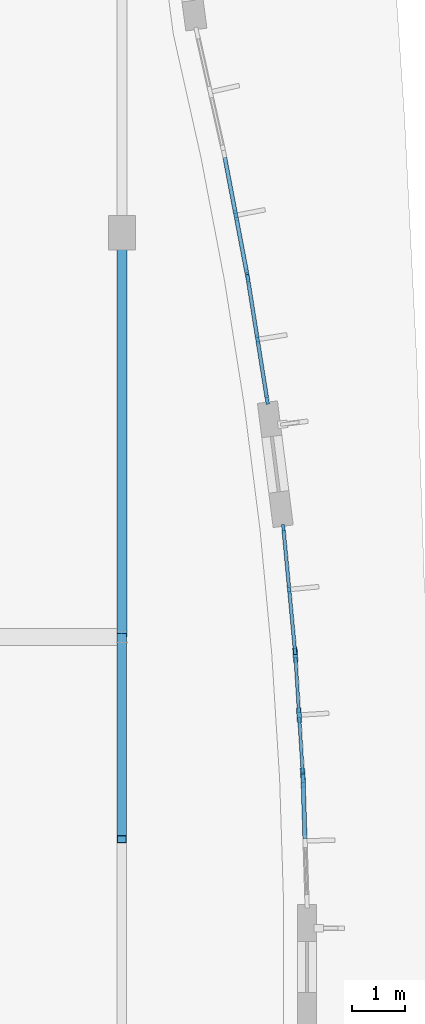
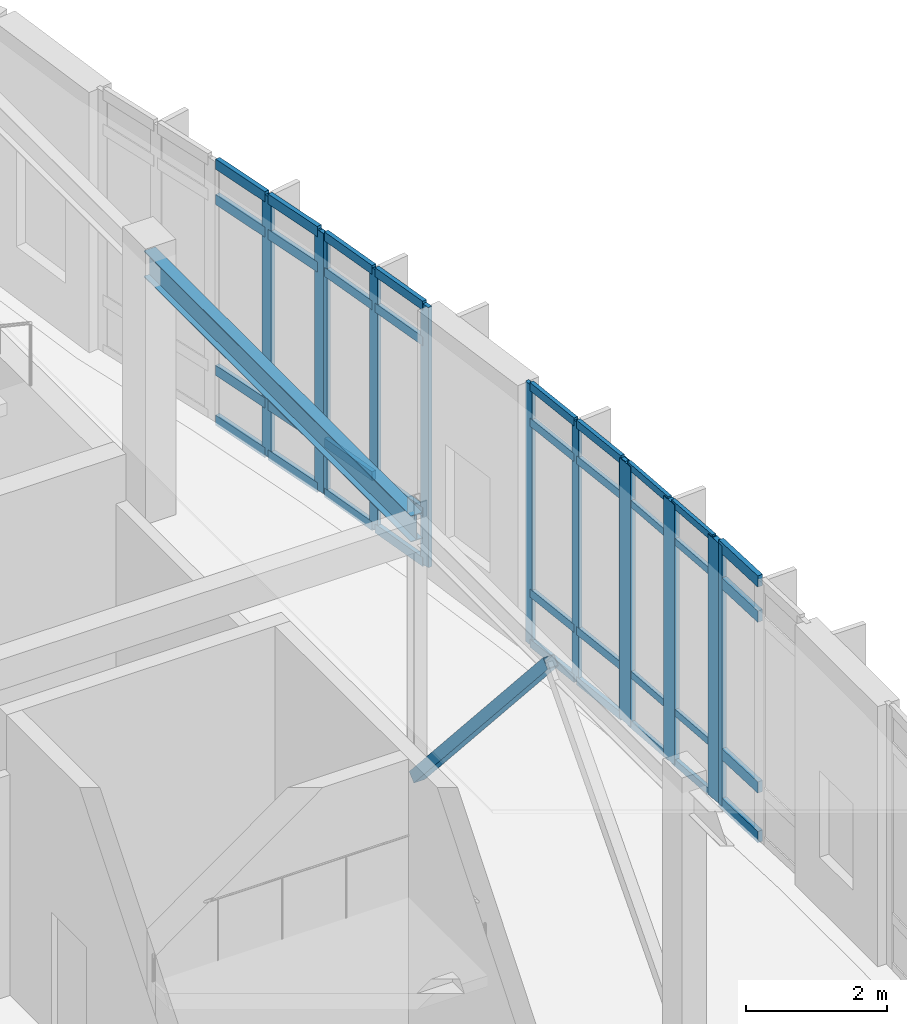
# One storey, part 61 of 120: 49 members, 1 beam, 5 elements without a shape of their own.
"""IFC4 building model written with IfcOpenShell, lengths in metres."""

from ifc_helpers import new_model, si_unit, direction, frame, origin, origin_2d, place, context, subcontext, project, spatial, rectangle, hollow_rectangle, i_section, extrude, material, material_profile, profile_set, type_object, element, aggregate, save


model = new_model("IFC4")

# Units and contexts
model_context = context("Model", 3, precision=1e-05, world=origin(), true_north=direction((0.0, 1.0)))
body_context = subcontext(model_context, "Body", "Model", "MODEL_VIEW")
ifc_project = project(units=[si_unit("LENGTHUNIT", "METRE"), si_unit("AREAUNIT", "SQUARE_METRE"), si_unit("VOLUMEUNIT", "CUBIC_METRE"), si_unit("PLANEANGLEUNIT", "RADIAN"), si_unit("MASSUNIT", "GRAM", prefix="KILO")], contexts=[model_context])

# Site, building, storey
site_placement = place(None, origin())
site = spatial("IfcSite", under=ifc_project, at=site_placement, CompositionType="ELEMENT")
building_placement = place(site_placement, origin())
building = spatial("IfcBuilding", under=site, at=building_placement, Name="Corveleigh Park Community Centre", CompositionType="ELEMENT")
storey_placement = place(building_placement, origin())
storey = spatial("IfcBuildingStorey", under=building, at=storey_placement, Name="L00", CompositionType="ELEMENT", Elevation=0.0)

# Beam
ifc_material_1 = material(Name="Steel S355", Category="steel")
ifc_material_profile_1 = material_profile(ifc_material_1, i_section(OverallWidth=0.18994140625, OverallDepth=0.453369140625, WebThickness=0.008544921875, FlangeThickness=0.0126953125, at=origin_2d()), Name="UKB 457x191x67", Category="steel")
ifc_profile_set_1 = profile_set([ifc_material_profile_1], Name="Steel S355")
beam_type = type_object("IfcBeamType", Name="BM-STL-UKB457x67", PredefinedType="BEAM", material=ifc_profile_set_1)
beam_placement = place(storey_placement, frame((168.39990234375, 89.0048828125, 4.30029296875), z_axis=(0.0, 1.0, 0.0), x_axis=(-1.0, 0.0, 0.0)))
element("IfcBeam", 1, at=beam_placement, inside=storey, type_object=beam_type, Name="V4 Girder Y", PredefinedType="BEAM", context=body_context, shape_type="SweptSolid", body=[
    extrude(i_section(OverallWidth=0.18994140625, OverallDepth=0.453369140625, WebThickness=0.008544921875, FlangeThickness=0.0126953125, at=origin_2d()), origin(), (0.0, 0.0, 1.0), 7.590087890625),
])

# Curtain wall, members
ifc_material_2 = material(Name="Anodised aluminium 6063-T6", Category="aluminium")
curtain_wall_type = type_object("IfcCurtainWallType", Name="CW-SYS-V4-L00", PredefinedType="NOTDEFINED", material=ifc_material_2)
curtain_wall_1_placement = place(storey_placement, origin())
curtain_wall_1 = element("IfcCurtainWall", 2, at=curtain_wall_1_placement, inside=storey, type_object=curtain_wall_type, Name="V4 L00 Curtain Wall 127", PredefinedType="NOTDEFINED")
ifc_material_profile_2 = material_profile(ifc_material_2, rectangle(XDim=0.06005859375, YDim=0.159912109375, at=origin_2d()), Name="ALU-M60x160", Category="aluminium")
ifc_profile_set_2 = profile_set([ifc_material_profile_2], Name="Anodised aluminium 6063-T6")
member_type_1 = type_object("IfcMemberType", Name="CWM-60x160", PredefinedType="MULLION", material=ifc_profile_set_2)
member_1_placement = place(storey_placement, frame((171.434814453125, 91.0341796875, 0.0), z_axis=(0.0, 0.0, 1.0), x_axis=(0.995569739149, 0.094026030916, 0.0)))
member_1 = element("IfcMember", 3, at=member_1_placement, type_object=member_type_1, Name="CW07 mullion 1", PredefinedType="MULLION", context=body_context, shape_type="SweptSolid", body=[
    extrude(rectangle(XDim=0.06005859375, YDim=0.159912109375, at=origin_2d()), origin(), (0.0, 0.0, 1.0), 4.511962890625),
])
member_2_placement = place(storey_placement, frame((171.54248046875, 89.89404296875, 0.0), z_axis=(0.0, 0.0, 1.0), x_axis=(0.995569739149, 0.094026030916, 0.0)))
member_2 = element("IfcMember", 4, at=member_2_placement, type_object=member_type_1, Name="CW07 mullion 2", PredefinedType="MULLION", context=body_context, shape_type="SweptSolid", body=[
    extrude(rectangle(XDim=0.06005859375, YDim=0.159912109375, at=origin_2d()), origin(), (0.0, 0.0, 1.0), 4.511962890625),
])
member_3_placement = place(storey_placement, frame((171.650146484375, 88.75390625, 0.0), z_axis=(0.0, 0.0, 1.0), x_axis=(0.995569739149, 0.094026030916, 0.0)))
member_3 = element("IfcMember", 5, at=member_3_placement, type_object=member_type_1, Name="CW07 mullion 3", PredefinedType="MULLION", context=body_context, shape_type="SweptSolid", body=[
    extrude(rectangle(XDim=0.06005859375, YDim=0.159912109375, at=origin_2d()), origin(), (0.0, 0.0, 1.0), 4.511962890625),
])

curtain_wall_2_placement = place(storey_placement, origin())
curtain_wall_2 = element("IfcCurtainWall", 6, at=curtain_wall_2_placement, inside=storey, type_object=curtain_wall_type, Name="V4 L00 Curtain Wall 128", PredefinedType="NOTDEFINED")
ifc_material_profile_3 = material_profile(ifc_material_2, rectangle(XDim=0.06494140625, YDim=0.179931640625, at=origin_2d()), Name="ALU-M65x180", Category="aluminium")
ifc_profile_set_3 = profile_set([ifc_material_profile_3], Name="Anodised aluminium 6063-T6")
member_type_2 = type_object("IfcMemberType", Name="CWM-65x180", PredefinedType="MULLION", material=ifc_profile_set_3)
member_4_placement = place(storey_placement, frame((170.76806640625, 95.720947265625, 0.0), z_axis=(0.0, 0.0, 1.0), x_axis=(0.987596806616, 0.157011297563, 0.0)))
member_4 = element("IfcMember", 7, at=member_4_placement, type_object=member_type_2, Name="CW07 mullion 1", PredefinedType="MULLION", context=body_context, shape_type="SweptSolid", body=[
    extrude(rectangle(XDim=0.06494140625, YDim=0.179931640625, at=origin_2d()), origin(), (0.0, 0.0, 1.0), 4.511962890625),
])
member_5_placement = place(storey_placement, frame((170.947509765625, 94.592529296875, 0.0), z_axis=(0.0, 0.0, 1.0), x_axis=(0.987596806616, 0.157011297563, 0.0)))
member_5 = element("IfcMember", 8, at=member_5_placement, type_object=member_type_2, Name="CW07 mullion 2", PredefinedType="MULLION", context=body_context, shape_type="SweptSolid", body=[
    extrude(rectangle(XDim=0.06494140625, YDim=0.179931640625, at=origin_2d()), origin(), (0.0, 0.0, 1.0), 4.511962890625),
])
member_6_placement = place(storey_placement, frame((171.126953125, 93.464111328125, 0.0), z_axis=(0.0, 0.0, 1.0), x_axis=(0.987596806616, 0.157011297563, 0.0)))
member_6 = element("IfcMember", 9, at=member_6_placement, type_object=member_type_2, Name="CW07 mullion 3", PredefinedType="MULLION", context=body_context, shape_type="SweptSolid", body=[
    extrude(rectangle(XDim=0.06494140625, YDim=0.179931640625, at=origin_2d()), origin(), (0.0, 0.0, 1.0), 4.511962890625),
])

curtain_wall_3_placement = place(storey_placement, origin())
curtain_wall_3 = element("IfcCurtainWall", 10, at=curtain_wall_3_placement, inside=storey, type_object=curtain_wall_type, Name="V4 L00 Curtain Wall 129", PredefinedType="NOTDEFINED")
ifc_material_profile_4 = material_profile(ifc_material_2, rectangle(XDim=0.070068359375, YDim=0.199951171875, at=origin_2d()), Name="ALU-M70x200", Category="aluminium")
ifc_profile_set_4 = profile_set([ifc_material_profile_4], Name="Anodised aluminium 6063-T6")
member_type_3 = type_object("IfcMemberType", Name="CWM-70x200", PredefinedType="MULLION", material=ifc_profile_set_4)
member_7_placement = place(storey_placement, frame((170.5400390625, 96.925537109375, 0.0), z_axis=(0.0, 0.0, 1.0), x_axis=(0.982323668519, 0.187190304951, 0.0)))
member_7 = element("IfcMember", 11, at=member_7_placement, type_object=member_type_3, Name="CW07 mullion 2", PredefinedType="MULLION", context=body_context, shape_type="SweptSolid", body=[
    extrude(rectangle(XDim=0.070068359375, YDim=0.199951171875, at=origin_2d()), origin(), (0.0, 0.0, 1.0), 4.511962890625),
])
member_8_placement = place(storey_placement, frame((170.75341796875, 95.805419921875, 0.0), z_axis=(0.0, 0.0, 1.0), x_axis=(0.982323668519, 0.187190304951, 0.0)))
member_8 = element("IfcMember", 12, at=member_8_placement, type_object=member_type_3, Name="CW07 mullion 3", PredefinedType="MULLION", context=body_context, shape_type="SweptSolid", body=[
    extrude(rectangle(XDim=0.070068359375, YDim=0.199951171875, at=origin_2d()), origin(), (0.0, 0.0, 1.0), 4.511962890625),
])

# Curtain wall, member
curtain_wall_4_placement = place(storey_placement, origin())
curtain_wall_4 = element("IfcCurtainWall", 13, at=curtain_wall_4_placement, inside=storey, type_object=curtain_wall_type, Name="V4 L00 Curtain Wall 125", PredefinedType="NOTDEFINED")
ifc_material_profile_5 = material_profile(ifc_material_2, rectangle(XDim=0.080078125, YDim=0.25, at=origin_2d()), Name="ALU-M80x250", Category="aluminium")
ifc_profile_set_5 = profile_set([ifc_material_profile_5], Name="Anodised aluminium 6063-T6")
member_type_4 = type_object("IfcMemberType", Name="CWM-80x250", PredefinedType="MULLION", material=ifc_profile_set_5)
member_9_placement = place(storey_placement, frame((171.80419921875, 86.302978515625, 0.0), z_axis=(0.0, 0.0, 1.0), x_axis=(0.999491108502, 0.031898652394, 0.0)))
member_9 = element("IfcMember", 14, at=member_9_placement, type_object=member_type_4, Name="CW07 mullion 1", PredefinedType="MULLION", context=body_context, shape_type="SweptSolid", body=[
    extrude(rectangle(XDim=0.080078125, YDim=0.25, at=origin_2d()), origin(), (0.0, 0.0, 1.0), 4.511962890625),
])

# Curtain wall, members
curtain_wall_5_placement = place(storey_placement, origin())
curtain_wall_5 = element("IfcCurtainWall", 15, at=curtain_wall_5_placement, inside=storey, type_object=curtain_wall_type, Name="V4 L00 Curtain Wall 126", PredefinedType="NOTDEFINED")
ifc_material_profile_6 = material_profile(ifc_material_2, rectangle(XDim=0.0849609375, YDim=0.27490234375, at=origin_2d()), Name="ALU-M85x275", Category="aluminium")
ifc_profile_set_6 = profile_set([ifc_material_profile_6], Name="Anodised aluminium 6063-T6")
member_type_5 = type_object("IfcMemberType", Name="CWM-85x275", PredefinedType="MULLION", material=ifc_profile_set_6)
member_10_placement = place(storey_placement, frame((171.65771484375, 88.66357421875, 0.0), z_axis=(0.0, 0.0, 1.0), x_axis=(0.998040968926, 0.062563762233, 0.0)))
member_10 = element("IfcMember", 16, at=member_10_placement, type_object=member_type_5, Name="CW07 mullion 1", PredefinedType="MULLION", context=body_context, shape_type="SweptSolid", body=[
    extrude(rectangle(XDim=0.0849609375, YDim=0.27490234375, at=origin_2d()), origin(), (0.0, 0.0, 1.0), 4.511962890625),
])
member_11_placement = place(storey_placement, frame((171.728515625, 87.533447265625, 0.0), z_axis=(0.0, 0.0, 1.0), x_axis=(0.998040968926, 0.062563762233, 0.0)))
member_11 = element("IfcMember", 17, at=member_11_placement, type_object=member_type_5, Name="CW07 mullion 2", PredefinedType="MULLION", context=body_context, shape_type="SweptSolid", body=[
    extrude(rectangle(XDim=0.0849609375, YDim=0.27490234375, at=origin_2d()), origin(), (0.0, 0.0, 1.0), 4.511962890625),
])
member_12_placement = place(storey_placement, frame((171.79931640625, 86.4033203125, 0.0), z_axis=(0.0, 0.0, 1.0), x_axis=(0.998040968926, 0.062563762233, 0.0)))
member_12 = element("IfcMember", 18, at=member_12_placement, type_object=member_type_5, Name="CW07 mullion 3", PredefinedType="MULLION", context=body_context, shape_type="SweptSolid", body=[
    extrude(rectangle(XDim=0.0849609375, YDim=0.27490234375, at=origin_2d()), origin(), (0.0, 0.0, 1.0), 4.511962890625),
])
ifc_material_profile_7 = material_profile(ifc_material_2, rectangle(XDim=0.06005859375, YDim=0.1201171875, at=origin_2d()), Name="ALU-T60x120", Category="aluminium")
ifc_profile_set_7 = profile_set([ifc_material_profile_7], Name="Anodised aluminium 6063-T6")
member_type_6 = type_object("IfcMemberType", Name="CWT-60x120", PredefinedType="USERDEFINED", material=ifc_profile_set_7)
member_13_placement = place(storey_placement, frame((171.660400390625, 88.62109375, 0.030029296875), z_axis=(0.062479885041, -0.998046223361, 0.0), x_axis=(0.998046223361, 0.062479885041, 0.0)))
member_13 = element("IfcMember", 19, at=member_13_placement, type_object=member_type_6, Name="CW07 transom 1.1", ObjectType="TRANSOM", PredefinedType="USERDEFINED", context=body_context, shape_type="SweptSolid", body=[
    extrude(rectangle(XDim=0.06005859375, YDim=0.1201171875, at=origin_2d()), origin(), (0.0, 0.0, 1.0), 1.047119140625),
])
member_14_placement = place(storey_placement, frame((171.660400390625, 88.62109375, 0.89990234375), z_axis=(0.062479885041, -0.998046223361, 0.0), x_axis=(0.998046223361, 0.062479885041, 0.0)))
member_14 = element("IfcMember", 20, at=member_14_placement, type_object=member_type_6, Name="CW07 transom 1.2", ObjectType="TRANSOM", PredefinedType="USERDEFINED", context=body_context, shape_type="SweptSolid", body=[
    extrude(rectangle(XDim=0.06005859375, YDim=0.1201171875, at=origin_2d()), origin(), (0.0, 0.0, 1.0), 1.047119140625),
])
member_15_placement = place(storey_placement, frame((171.660400390625, 88.62109375, 3.862060546875), z_axis=(0.062479885041, -0.998046223361, 0.0), x_axis=(0.998046223361, 0.062479885041, 0.0)))
member_15 = element("IfcMember", 21, at=member_15_placement, type_object=member_type_6, Name="CW07 transom 1.3", ObjectType="TRANSOM", PredefinedType="USERDEFINED", context=body_context, shape_type="SweptSolid", body=[
    extrude(rectangle(XDim=0.06005859375, YDim=0.1201171875, at=origin_2d()), origin(), (0.0, 0.0, 1.0), 1.047119140625),
])
member_16_placement = place(storey_placement, frame((171.660400390625, 88.62109375, 4.48193359375), z_axis=(0.062479885041, -0.998046223361, 0.0), x_axis=(0.998046223361, 0.062479885041, 0.0)))
member_16 = element("IfcMember", 22, at=member_16_placement, type_object=member_type_6, Name="CW07 transom 1.4", ObjectType="TRANSOM", PredefinedType="USERDEFINED", context=body_context, shape_type="SweptSolid", body=[
    extrude(rectangle(XDim=0.06005859375, YDim=0.1201171875, at=origin_2d()), origin(), (0.0, 0.0, 1.0), 1.047119140625),
])
member_17_placement = place(storey_placement, frame((171.731201171875, 87.490966796875, 0.030029296875), z_axis=(0.062479885041, -0.998046223361, 0.0), x_axis=(0.998046223361, 0.062479885041, 0.0)))
member_17 = element("IfcMember", 23, at=member_17_placement, type_object=member_type_6, Name="CW07 transom 2.1", ObjectType="TRANSOM", PredefinedType="USERDEFINED", context=body_context, shape_type="SweptSolid", body=[
    extrude(rectangle(XDim=0.06005859375, YDim=0.1201171875, at=origin_2d()), origin(), (0.0, 0.0, 1.0), 1.047119140625),
])
member_18_placement = place(storey_placement, frame((171.731201171875, 87.490966796875, 0.89990234375), z_axis=(0.062479885041, -0.998046223361, 0.0), x_axis=(0.998046223361, 0.062479885041, 0.0)))
member_18 = element("IfcMember", 24, at=member_18_placement, type_object=member_type_6, Name="CW07 transom 2.2", ObjectType="TRANSOM", PredefinedType="USERDEFINED", context=body_context, shape_type="SweptSolid", body=[
    extrude(rectangle(XDim=0.06005859375, YDim=0.1201171875, at=origin_2d()), origin(), (0.0, 0.0, 1.0), 1.047119140625),
])
member_19_placement = place(storey_placement, frame((171.731201171875, 87.490966796875, 3.862060546875), z_axis=(0.062479885041, -0.998046223361, 0.0), x_axis=(0.998046223361, 0.062479885041, 0.0)))
member_19 = element("IfcMember", 25, at=member_19_placement, type_object=member_type_6, Name="CW07 transom 2.3", ObjectType="TRANSOM", PredefinedType="USERDEFINED", context=body_context, shape_type="SweptSolid", body=[
    extrude(rectangle(XDim=0.06005859375, YDim=0.1201171875, at=origin_2d()), origin(), (0.0, 0.0, 1.0), 1.047119140625),
])
member_20_placement = place(storey_placement, frame((171.731201171875, 87.490966796875, 4.48193359375), z_axis=(0.062479885041, -0.998046223361, 0.0), x_axis=(0.998046223361, 0.062479885041, 0.0)))
member_20 = element("IfcMember", 26, at=member_20_placement, type_object=member_type_6, Name="CW07 transom 2.4", ObjectType="TRANSOM", PredefinedType="USERDEFINED", context=body_context, shape_type="SweptSolid", body=[
    extrude(rectangle(XDim=0.06005859375, YDim=0.1201171875, at=origin_2d()), origin(), (0.0, 0.0, 1.0), 1.047119140625),
])
aggregate(curtain_wall_5, [member_10, member_11, member_12, member_13, member_14, member_15, member_16, member_17, member_18, member_19, member_20])

# Member
ifc_material_profile_8 = material_profile(ifc_material_2, rectangle(XDim=0.06494140625, YDim=0.139892578125, at=origin_2d()), Name="ALU-T65x140", Category="aluminium")
ifc_profile_set_8 = profile_set([ifc_material_profile_8], Name="Anodised aluminium 6063-T6")
member_type_7 = type_object("IfcMemberType", Name="CWT-65x140", PredefinedType="USERDEFINED", material=ifc_profile_set_8)
member_21_placement = place(storey_placement, frame((171.437744140625, 91.004150390625, 0.032470703125), z_axis=(0.094044614072, -0.995567983899, 0.0), x_axis=(0.995567983899, 0.094044614072, 0.0)))
member_21 = element("IfcMember", 27, at=member_21_placement, type_object=member_type_7, Name="CW07 transom 1.1", ObjectType="TRANSOM", PredefinedType="USERDEFINED", context=body_context, shape_type="SweptSolid", body=[
    extrude(rectangle(XDim=0.06494140625, YDim=0.139892578125, at=origin_2d()), origin(), (0.0, 0.0, 1.0), 1.085205078125),
])

member_22_placement = place(storey_placement, frame((171.437744140625, 91.004150390625, 0.89990234375), z_axis=(0.094044614072, -0.995567983899, 0.0), x_axis=(0.995567983899, 0.094044614072, 0.0)))
member_22 = element("IfcMember", 28, at=member_22_placement, type_object=member_type_7, Name="CW07 transom 1.2", ObjectType="TRANSOM", PredefinedType="USERDEFINED", context=body_context, shape_type="SweptSolid", body=[
    extrude(rectangle(XDim=0.06494140625, YDim=0.139892578125, at=origin_2d()), origin(), (0.0, 0.0, 1.0), 1.085205078125),
])

member_23_placement = place(storey_placement, frame((171.437744140625, 91.004150390625, 3.862060546875), z_axis=(0.094044614072, -0.995567983899, 0.0), x_axis=(0.995567983899, 0.094044614072, 0.0)))
member_23 = element("IfcMember", 29, at=member_23_placement, type_object=member_type_7, Name="CW07 transom 1.3", ObjectType="TRANSOM", PredefinedType="USERDEFINED", context=body_context, shape_type="SweptSolid", body=[
    extrude(rectangle(XDim=0.06494140625, YDim=0.139892578125, at=origin_2d()), origin(), (0.0, 0.0, 1.0), 1.085205078125),
])

member_24_placement = place(storey_placement, frame((171.437744140625, 91.004150390625, 4.4794921875), z_axis=(0.094044614072, -0.995567983899, 0.0), x_axis=(0.995567983899, 0.094044614072, 0.0)))
member_24 = element("IfcMember", 30, at=member_24_placement, type_object=member_type_7, Name="CW07 transom 1.4", ObjectType="TRANSOM", PredefinedType="USERDEFINED", context=body_context, shape_type="SweptSolid", body=[
    extrude(rectangle(XDim=0.06494140625, YDim=0.139892578125, at=origin_2d()), origin(), (0.0, 0.0, 1.0), 1.085205078125),
])

member_25_placement = place(storey_placement, frame((171.54541015625, 89.864013671875, 0.032470703125), z_axis=(0.094044614072, -0.995567983899, 0.0), x_axis=(0.995567983899, 0.094044614072, 0.0)))
member_25 = element("IfcMember", 31, at=member_25_placement, type_object=member_type_7, Name="CW07 transom 2.1", ObjectType="TRANSOM", PredefinedType="USERDEFINED", context=body_context, shape_type="SweptSolid", body=[
    extrude(rectangle(XDim=0.06494140625, YDim=0.139892578125, at=origin_2d()), origin(), (0.0, 0.0, 1.0), 1.085205078125),
])

member_26_placement = place(storey_placement, frame((171.54541015625, 89.864013671875, 0.89990234375), z_axis=(0.094044614072, -0.995567983899, 0.0), x_axis=(0.995567983899, 0.094044614072, 0.0)))
member_26 = element("IfcMember", 32, at=member_26_placement, type_object=member_type_7, Name="CW07 transom 2.2", ObjectType="TRANSOM", PredefinedType="USERDEFINED", context=body_context, shape_type="SweptSolid", body=[
    extrude(rectangle(XDim=0.06494140625, YDim=0.139892578125, at=origin_2d()), origin(), (0.0, 0.0, 1.0), 1.085205078125),
])

member_27_placement = place(storey_placement, frame((171.54541015625, 89.864013671875, 3.862060546875), z_axis=(0.094044614072, -0.995567983899, 0.0), x_axis=(0.995567983899, 0.094044614072, 0.0)))
member_27 = element("IfcMember", 33, at=member_27_placement, type_object=member_type_7, Name="CW07 transom 2.3", ObjectType="TRANSOM", PredefinedType="USERDEFINED", context=body_context, shape_type="SweptSolid", body=[
    extrude(rectangle(XDim=0.06494140625, YDim=0.139892578125, at=origin_2d()), origin(), (0.0, 0.0, 1.0), 1.085205078125),
])

member_28_placement = place(storey_placement, frame((171.54541015625, 89.864013671875, 4.4794921875), z_axis=(0.094044614072, -0.995567983899, 0.0), x_axis=(0.995567983899, 0.094044614072, 0.0)))
member_28 = element("IfcMember", 34, at=member_28_placement, type_object=member_type_7, Name="CW07 transom 2.4", ObjectType="TRANSOM", PredefinedType="USERDEFINED", context=body_context, shape_type="SweptSolid", body=[
    extrude(rectangle(XDim=0.06494140625, YDim=0.139892578125, at=origin_2d()), origin(), (0.0, 0.0, 1.0), 1.085205078125),
])

aggregate(curtain_wall_1, [member_1, member_2, member_3, member_21, member_22, member_23, member_24, member_25, member_26, member_27, member_28])

ifc_material_profile_9 = material_profile(ifc_material_2, rectangle(XDim=0.070068359375, YDim=0.155029296875, at=origin_2d()), Name="ALU-T70x155", Category="aluminium")
ifc_profile_set_9 = profile_set([ifc_material_profile_9], Name="Anodised aluminium 6063-T6")
member_type_8 = type_object("IfcMemberType", Name="CWT-70x155", PredefinedType="USERDEFINED", material=ifc_profile_set_9)
member_29_placement = place(storey_placement, frame((170.773193359375, 95.688720703125, 0.034912109375), z_axis=(0.157009583803, -0.987597079073, 0.0), x_axis=(0.987597079073, 0.157009583803, 0.0)))
member_29 = element("IfcMember", 35, at=member_29_placement, type_object=member_type_8, Name="CW07 transom 1.1", ObjectType="TRANSOM", PredefinedType="USERDEFINED", context=body_context, shape_type="SweptSolid", body=[
    extrude(rectangle(XDim=0.070068359375, YDim=0.155029296875, at=origin_2d()), origin(), (0.0, 0.0, 1.0), 1.07763671875),
])

member_30_placement = place(storey_placement, frame((170.773193359375, 95.688720703125, 0.89990234375), z_axis=(0.157009583803, -0.987597079073, 0.0), x_axis=(0.987597079073, 0.157009583803, 0.0)))
member_30 = element("IfcMember", 36, at=member_30_placement, type_object=member_type_8, Name="CW07 transom 1.2", ObjectType="TRANSOM", PredefinedType="USERDEFINED", context=body_context, shape_type="SweptSolid", body=[
    extrude(rectangle(XDim=0.070068359375, YDim=0.155029296875, at=origin_2d()), origin(), (0.0, 0.0, 1.0), 1.07763671875),
])

member_31_placement = place(storey_placement, frame((170.773193359375, 95.688720703125, 3.862060546875), z_axis=(0.157009583803, -0.987597079073, 0.0), x_axis=(0.987597079073, 0.157009583803, 0.0)))
member_31 = element("IfcMember", 37, at=member_31_placement, type_object=member_type_8, Name="CW07 transom 1.3", ObjectType="TRANSOM", PredefinedType="USERDEFINED", context=body_context, shape_type="SweptSolid", body=[
    extrude(rectangle(XDim=0.070068359375, YDim=0.155029296875, at=origin_2d()), origin(), (0.0, 0.0, 1.0), 1.07763671875),
])

member_32_placement = place(storey_placement, frame((170.773193359375, 95.688720703125, 4.47705078125), z_axis=(0.157009583803, -0.987597079073, 0.0), x_axis=(0.987597079073, 0.157009583803, 0.0)))
member_32 = element("IfcMember", 38, at=member_32_placement, type_object=member_type_8, Name="CW07 transom 1.4", ObjectType="TRANSOM", PredefinedType="USERDEFINED", context=body_context, shape_type="SweptSolid", body=[
    extrude(rectangle(XDim=0.070068359375, YDim=0.155029296875, at=origin_2d()), origin(), (0.0, 0.0, 1.0), 1.07763671875),
])

member_33_placement = place(storey_placement, frame((170.95263671875, 94.560302734375, 0.034912109375), z_axis=(0.157009583803, -0.987597079073, 0.0), x_axis=(0.987597079073, 0.157009583803, 0.0)))
member_33 = element("IfcMember", 39, at=member_33_placement, type_object=member_type_8, Name="CW07 transom 2.1", ObjectType="TRANSOM", PredefinedType="USERDEFINED", context=body_context, shape_type="SweptSolid", body=[
    extrude(rectangle(XDim=0.070068359375, YDim=0.155029296875, at=origin_2d()), origin(), (0.0, 0.0, 1.0), 1.07763671875),
])

member_34_placement = place(storey_placement, frame((170.95263671875, 94.560302734375, 0.89990234375), z_axis=(0.157009583803, -0.987597079073, 0.0), x_axis=(0.987597079073, 0.157009583803, 0.0)))
member_34 = element("IfcMember", 40, at=member_34_placement, type_object=member_type_8, Name="CW07 transom 2.2", ObjectType="TRANSOM", PredefinedType="USERDEFINED", context=body_context, shape_type="SweptSolid", body=[
    extrude(rectangle(XDim=0.070068359375, YDim=0.155029296875, at=origin_2d()), origin(), (0.0, 0.0, 1.0), 1.07763671875),
])

member_35_placement = place(storey_placement, frame((170.95263671875, 94.560302734375, 3.862060546875), z_axis=(0.157009583803, -0.987597079073, 0.0), x_axis=(0.987597079073, 0.157009583803, 0.0)))
member_35 = element("IfcMember", 41, at=member_35_placement, type_object=member_type_8, Name="CW07 transom 2.3", ObjectType="TRANSOM", PredefinedType="USERDEFINED", context=body_context, shape_type="SweptSolid", body=[
    extrude(rectangle(XDim=0.070068359375, YDim=0.155029296875, at=origin_2d()), origin(), (0.0, 0.0, 1.0), 1.07763671875),
])

member_36_placement = place(storey_placement, frame((170.95263671875, 94.560302734375, 4.47705078125), z_axis=(0.157009583803, -0.987597079073, 0.0), x_axis=(0.987597079073, 0.157009583803, 0.0)))
member_36 = element("IfcMember", 42, at=member_36_placement, type_object=member_type_8, Name="CW07 transom 2.4", ObjectType="TRANSOM", PredefinedType="USERDEFINED", context=body_context, shape_type="SweptSolid", body=[
    extrude(rectangle(XDim=0.070068359375, YDim=0.155029296875, at=origin_2d()), origin(), (0.0, 0.0, 1.0), 1.07763671875),
])

aggregate(curtain_wall_2, [member_4, member_5, member_6, member_29, member_30, member_31, member_32, member_33, member_34, member_35, member_36])

ifc_material_profile_10 = material_profile(ifc_material_2, rectangle(XDim=0.074951171875, YDim=0.175048828125, at=origin_2d()), Name="ALU-T75x175", Category="aluminium")
ifc_profile_set_10 = profile_set([ifc_material_profile_10], Name="Anodised aluminium 6063-T6")
member_type_9 = type_object("IfcMemberType", Name="CWT-75x175", PredefinedType="USERDEFINED", material=ifc_profile_set_10)
member_37_placement = place(storey_placement, frame((170.3330078125, 98.01123046875, 0.03759765625), z_axis=(0.18729031157, -0.982304606114, 0.0), x_axis=(0.982304606114, 0.18729031157, 0.0)))
member_37 = element("IfcMember", 43, at=member_37_placement, type_object=member_type_9, Name="CW07 transom 1.1", ObjectType="TRANSOM", PredefinedType="USERDEFINED", context=body_context, shape_type="SweptSolid", body=[
    extrude(rectangle(XDim=0.074951171875, YDim=0.175048828125, at=origin_2d()), origin(), (0.0, 0.0, 1.0), 1.0703125),
])

member_38_placement = place(storey_placement, frame((170.3330078125, 98.01123046875, 0.89990234375), z_axis=(0.18729031157, -0.982304606114, 0.0), x_axis=(0.982304606114, 0.18729031157, 0.0)))
member_38 = element("IfcMember", 44, at=member_38_placement, type_object=member_type_9, Name="CW07 transom 1.2", ObjectType="TRANSOM", PredefinedType="USERDEFINED", context=body_context, shape_type="SweptSolid", body=[
    extrude(rectangle(XDim=0.074951171875, YDim=0.175048828125, at=origin_2d()), origin(), (0.0, 0.0, 1.0), 1.0703125),
])

member_39_placement = place(storey_placement, frame((170.3330078125, 98.01123046875, 3.862060546875), z_axis=(0.18729031157, -0.982304606114, 0.0), x_axis=(0.982304606114, 0.18729031157, 0.0)))
member_39 = element("IfcMember", 45, at=member_39_placement, type_object=member_type_9, Name="CW07 transom 1.3", ObjectType="TRANSOM", PredefinedType="USERDEFINED", context=body_context, shape_type="SweptSolid", body=[
    extrude(rectangle(XDim=0.074951171875, YDim=0.175048828125, at=origin_2d()), origin(), (0.0, 0.0, 1.0), 1.0703125),
])

member_40_placement = place(storey_placement, frame((170.3330078125, 98.01123046875, 4.474609375), z_axis=(0.18729031157, -0.982304606114, 0.0), x_axis=(0.982304606114, 0.18729031157, 0.0)))
member_40 = element("IfcMember", 46, at=member_40_placement, type_object=member_type_9, Name="CW07 transom 1.4", ObjectType="TRANSOM", PredefinedType="USERDEFINED", context=body_context, shape_type="SweptSolid", body=[
    extrude(rectangle(XDim=0.074951171875, YDim=0.175048828125, at=origin_2d()), origin(), (0.0, 0.0, 1.0), 1.0703125),
])

member_41_placement = place(storey_placement, frame((170.546630859375, 96.89111328125, 0.03759765625), z_axis=(0.187070174927, -0.982346552726, 0.0), x_axis=(0.982346552726, 0.187070174927, 0.0)))
member_41 = element("IfcMember", 47, at=member_41_placement, type_object=member_type_9, Name="CW07 transom 2.1", ObjectType="TRANSOM", PredefinedType="USERDEFINED", context=body_context, shape_type="SweptSolid", body=[
    extrude(rectangle(XDim=0.074951171875, YDim=0.175048828125, at=origin_2d()), origin(), (0.0, 0.0, 1.0), 1.070068359375),
])

member_42_placement = place(storey_placement, frame((170.546630859375, 96.89111328125, 0.89990234375), z_axis=(0.187070174927, -0.982346552726, 0.0), x_axis=(0.982346552726, 0.187070174927, 0.0)))
member_42 = element("IfcMember", 48, at=member_42_placement, type_object=member_type_9, Name="CW07 transom 2.2", ObjectType="TRANSOM", PredefinedType="USERDEFINED", context=body_context, shape_type="SweptSolid", body=[
    extrude(rectangle(XDim=0.074951171875, YDim=0.175048828125, at=origin_2d()), origin(), (0.0, 0.0, 1.0), 1.070068359375),
])

member_43_placement = place(storey_placement, frame((170.546630859375, 96.89111328125, 3.862060546875), z_axis=(0.187070174927, -0.982346552726, 0.0), x_axis=(0.982346552726, 0.187070174927, 0.0)))
member_43 = element("IfcMember", 49, at=member_43_placement, type_object=member_type_9, Name="CW07 transom 2.3", ObjectType="TRANSOM", PredefinedType="USERDEFINED", context=body_context, shape_type="SweptSolid", body=[
    extrude(rectangle(XDim=0.074951171875, YDim=0.175048828125, at=origin_2d()), origin(), (0.0, 0.0, 1.0), 1.070068359375),
])

member_44_placement = place(storey_placement, frame((170.546630859375, 96.89111328125, 4.474609375), z_axis=(0.187070174927, -0.982346552726, 0.0), x_axis=(0.982346552726, 0.187070174927, 0.0)))
member_44 = element("IfcMember", 50, at=member_44_placement, type_object=member_type_9, Name="CW07 transom 2.4", ObjectType="TRANSOM", PredefinedType="USERDEFINED", context=body_context, shape_type="SweptSolid", body=[
    extrude(rectangle(XDim=0.074951171875, YDim=0.175048828125, at=origin_2d()), origin(), (0.0, 0.0, 1.0), 1.070068359375),
])

aggregate(curtain_wall_3, [member_7, member_8, member_37, member_38, member_39, member_40, member_41, member_42, member_43, member_44])

ifc_material_profile_11 = material_profile(ifc_material_2, rectangle(XDim=0.080078125, YDim=0.195068359375, at=origin_2d()), Name="ALU-T80x195", Category="aluminium")
ifc_profile_set_11 = profile_set([ifc_material_profile_11], Name="Anodised aluminium 6063-T6")
member_type_10 = type_object("IfcMemberType", Name="CWT-80x195", PredefinedType="USERDEFINED", material=ifc_profile_set_11)
member_45_placement = place(storey_placement, frame((171.8056640625, 86.262939453125, 0.0400390625), z_axis=(0.031689699718, -0.999497755341, 0.0), x_axis=(0.999497755341, 0.031689699718, 0.0)))
member_45 = element("IfcMember", 51, at=member_45_placement, type_object=member_type_10, Name="CW07 transom 1.1", ObjectType="TRANSOM", PredefinedType="USERDEFINED", context=body_context, shape_type="SweptSolid", body=[
    extrude(rectangle(XDim=0.080078125, YDim=0.195068359375, at=origin_2d()), origin(), (0.0, 0.0, 1.0), 1.055419921875),
])

member_46_placement = place(storey_placement, frame((171.8056640625, 86.262939453125, 0.89990234375), z_axis=(0.031689699718, -0.999497755341, 0.0), x_axis=(0.999497755341, 0.031689699718, 0.0)))
member_46 = element("IfcMember", 52, at=member_46_placement, type_object=member_type_10, Name="CW07 transom 1.2", ObjectType="TRANSOM", PredefinedType="USERDEFINED", context=body_context, shape_type="SweptSolid", body=[
    extrude(rectangle(XDim=0.080078125, YDim=0.195068359375, at=origin_2d()), origin(), (0.0, 0.0, 1.0), 1.055419921875),
])

member_47_placement = place(storey_placement, frame((171.8056640625, 86.262939453125, 3.862060546875), z_axis=(0.031689699718, -0.999497755341, 0.0), x_axis=(0.999497755341, 0.031689699718, 0.0)))
member_47 = element("IfcMember", 53, at=member_47_placement, type_object=member_type_10, Name="CW07 transom 1.3", ObjectType="TRANSOM", PredefinedType="USERDEFINED", context=body_context, shape_type="SweptSolid", body=[
    extrude(rectangle(XDim=0.080078125, YDim=0.195068359375, at=origin_2d()), origin(), (0.0, 0.0, 1.0), 1.055419921875),
])

member_48_placement = place(storey_placement, frame((171.8056640625, 86.262939453125, 4.471923828125), z_axis=(0.031689699718, -0.999497755341, 0.0), x_axis=(0.999497755341, 0.031689699718, 0.0)))
member_48 = element("IfcMember", 54, at=member_48_placement, type_object=member_type_10, Name="CW07 transom 1.4", ObjectType="TRANSOM", PredefinedType="USERDEFINED", context=body_context, shape_type="SweptSolid", body=[
    extrude(rectangle(XDim=0.080078125, YDim=0.195068359375, at=origin_2d()), origin(), (0.0, 0.0, 1.0), 1.055419921875),
])

aggregate(curtain_wall_4, [member_9, member_45, member_46, member_47, member_48])

ifc_material_profile_12 = material_profile(ifc_material_1, hollow_rectangle(XDim=0.179931640625, YDim=0.179931640625, WallThickness=0.010009765625, at=origin_2d()), Name="SHS 180x180x10.0", Category="steel")
ifc_profile_set_12 = profile_set([ifc_material_profile_12], Name="Steel S355")
member_type_11 = type_object("IfcMemberType", Name="MEM-BRC-SHS180", PredefinedType="BRACE", material=ifc_profile_set_12)
member_49_placement = place(storey_placement, frame((168.39990234375, 89.0, 0.0), z_axis=(0.0, -0.664186364328, 0.747567036085), x_axis=(1.0, 0.0, 0.0)))
element("IfcMember", 55, at=member_49_placement, inside=storey, type_object=member_type_11, Name="Spine chevron brace", PredefinedType="BRACE", context=body_context, shape_type="SweptSolid", body=[
    extrude(hollow_rectangle(XDim=0.179931640625, YDim=0.179931640625, WallThickness=0.010009765625, at=origin_2d()), origin(), (0.0, 0.0, 1.0), 5.721435546875),
])

save(model, "model.ifc")
